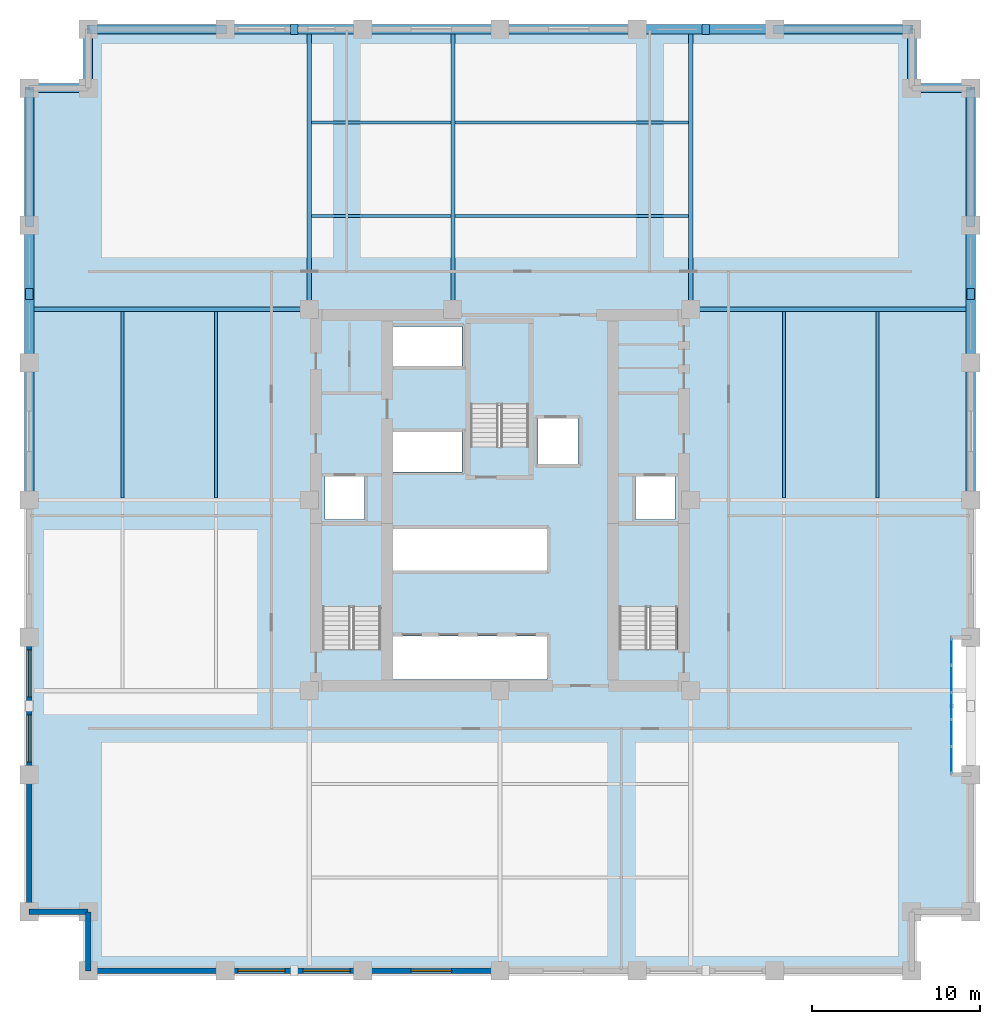
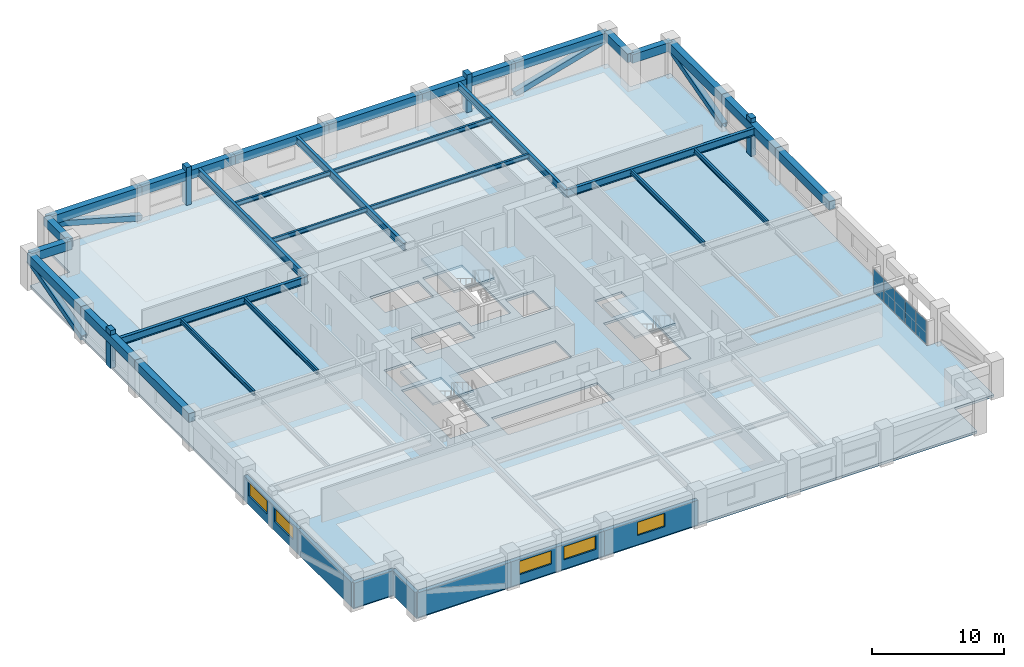
# One storey, part 3 of 12: 29 beams, 8 members, 7 walls, 5 plates, 5 windows, 4 slabs, 5 openings, 4 elements without a shape of their own.
"""IFC4 building model written with IfcOpenShell, lengths in metres."""

from ifc_helpers import new_model, si_unit, direction, frame, frame_2d, origin, origin_2d, place, context, subcontext, project, spatial, polyline, rectangle, hollow_rectangle, i_section, outline, extrude, material, layer, layer_set, material_profile, profile_set, type_object, element, fill, aggregate, save


model = new_model("IFC4")

# Units and contexts
model_context = context("Model", 3, precision=1e-05, world=origin(), true_north=direction((0.0, 1.0)))
body_context = subcontext(model_context, "Body", "Model", "MODEL_VIEW")
ifc_project = project(units=[si_unit("LENGTHUNIT", "METRE"), si_unit("AREAUNIT", "SQUARE_METRE"), si_unit("VOLUMEUNIT", "CUBIC_METRE"), si_unit("PLANEANGLEUNIT", "RADIAN"), si_unit("MASSUNIT", "GRAM", prefix="KILO")], contexts=[model_context])

# Site, building, storey
site_placement = place(None, origin())
site = spatial("IfcSite", under=ifc_project, at=site_placement, CompositionType="ELEMENT")
building_placement = place(site_placement, origin())
building = spatial("IfcBuilding", under=site, at=building_placement, Name="Nhamokura Convention Tower", CompositionType="ELEMENT")
storey_placement = place(building_placement, frame((0.0, 0.0, 96.25)))
storey = spatial("IfcBuildingStorey", under=building, at=storey_placement, Name="L23", CompositionType="ELEMENT", Elevation=96.25)

# Members
ifc_material_1 = material(Name="Bronze-pigmented precast concrete C45/55", Category="concrete")
ifc_material_profile_1 = material_profile(ifc_material_1, rectangle(XDim=0.449951171875, YDim=0.64990234375, at=origin_2d()))
ifc_profile_set_1 = profile_set([ifc_material_profile_1], Name="Bronze-pigmented precast concrete C45/55")
member_type_1 = type_object("IfcMemberType", Name="BronzePilaster_650", PredefinedType="USERDEFINED", material=ifc_profile_set_1)
for number, where, z_axis, x_axis, name in (
    (1, (19.75, 60.0, 0.0), (0.0, 0.0, 1.0), (1.0, 0.0, 0.0), "L23 Engaged Frame Pilaster NORTH 1"),
    (2, (44.25, 60.0, 0.0), (0.0, 0.0, 1.0), (1.0, 0.0, 0.0), "L23 Engaged Frame Pilaster NORTH 4"),
    (3, (4.0, 44.25, 0.0), (0.0, 0.0, 1.0), (1.0, 0.0, 0.0), "L23 Engaged Frame Pilaster WEST 4"),
    (4, (60.0, 44.25, 0.0), (0.0, 0.0, 1.0), (1.0, 0.0, 0.0), "L23 Engaged Frame Pilaster EAST 4"),
):
    element("IfcMember", number, at=place(storey_placement, frame(where, z_axis=z_axis, x_axis=x_axis)), inside=storey, type_object=member_type_1, Name=name, ObjectType="PILASTER_TRIM", PredefinedType="USERDEFINED", context=body_context, shape_type="SweptSolid", body=[
        extrude(rectangle(XDim=0.449951171875, YDim=0.64990234375, at=origin_2d()), origin(), (0.0, 0.0, 1.0), 3.5),
    ])

# Beams
ifc_material_2 = material(Name="Steel ASTM A992 Gr 50", Category="steel")
ifc_material_profile_2 = material_profile(ifc_material_2, i_section(OverallWidth=0.178955078125, OverallDepth=0.409912109375, WebThickness=0.0087890625, FlangeThickness=0.014404296875, at=origin_2d()))
ifc_profile_set_2 = profile_set([ifc_material_profile_2], Name="Steel ASTM A992 Gr 50")
beam_type_1 = type_object("IfcBeamType", Name="FloorJoist_W410X67", PredefinedType="JOIST", material=ifc_profile_set_2)
beam_1_placement = place(storey_placement, frame((20.77587890625, 48.89990234375, 2.875), z_axis=(1.0, 0.0, 0.0), x_axis=(0.0, 1.0, 0.0)))
element("IfcBeam", 5, at=beam_1_placement, inside=storey, type_object=beam_type_1, Name="L23 Composite Floor Joist N1A", PredefinedType="JOIST", context=body_context, shape_type="SweptSolid", body=[
    extrude(i_section(OverallWidth=0.178955078125, OverallDepth=0.409912109375, WebThickness=0.0087890625, FlangeThickness=0.014404296875, at=origin_2d()), origin(), (0.0, 0.0, 1.0), 8.298095703125),
])
beam_2_placement = place(storey_placement, frame((29.325927734375, 48.89990234375, 2.875), z_axis=(1.0, 0.0, 0.0), x_axis=(0.0, 1.0, 0.0)))
element("IfcBeam", 6, at=beam_2_placement, inside=storey, type_object=beam_type_1, Name="L23 Composite Floor Joist N1B", PredefinedType="JOIST", context=body_context, shape_type="SweptSolid", body=[
    extrude(i_section(OverallWidth=0.178955078125, OverallDepth=0.409912109375, WebThickness=0.0087890625, FlangeThickness=0.014404296875, at=origin_2d()), origin(), (0.0, 0.0, 1.0), 13.898193359375),
])
beam_3_placement = place(storey_placement, frame((20.77587890625, 54.449951171875, 2.875), z_axis=(1.0, 0.0, 0.0), x_axis=(0.0, 1.0, 0.0)))
element("IfcBeam", 7, at=beam_3_placement, inside=storey, type_object=beam_type_1, Name="L23 Composite Floor Joist N2A", PredefinedType="JOIST", context=body_context, shape_type="SweptSolid", body=[
    extrude(i_section(OverallWidth=0.178955078125, OverallDepth=0.409912109375, WebThickness=0.0087890625, FlangeThickness=0.014404296875, at=origin_2d()), origin(), (0.0, 0.0, 1.0), 8.298095703125),
])
beam_4_placement = place(storey_placement, frame((29.325927734375, 54.449951171875, 2.875), z_axis=(1.0, 0.0, 0.0), x_axis=(0.0, 1.0, 0.0)))
element("IfcBeam", 8, at=beam_4_placement, inside=storey, type_object=beam_type_1, Name="L23 Composite Floor Joist N2B", PredefinedType="JOIST", context=body_context, shape_type="SweptSolid", body=[
    extrude(i_section(OverallWidth=0.178955078125, OverallDepth=0.409912109375, WebThickness=0.0087890625, FlangeThickness=0.014404296875, at=origin_2d()), origin(), (0.0, 0.0, 1.0), 13.898193359375),
])
for number, where, z_axis, x_axis, name in (
    (9, (9.550048828125, 32.1259765625, 2.875), (0.0, 1.0, 0.0), (-1.0, 0.0, 0.0), "L23 Composite Floor Joist W1B"),
    (10, (15.10009765625, 32.1259765625, 2.875), (0.0, 1.0, 0.0), (-1.0, 0.0, 0.0), "L23 Composite Floor Joist W2B"),
    (11, (48.89990234375, 32.1259765625, 2.875), (0.0, 1.0, 0.0), (-1.0, 0.0, 0.0), "L23 Composite Floor Joist E1B"),
    (12, (54.449951171875, 32.1259765625, 2.875), (0.0, 1.0, 0.0), (-1.0, 0.0, 0.0), "L23 Composite Floor Joist E2B"),
):
    element("IfcBeam", number, at=place(storey_placement, frame(where, z_axis=z_axis, x_axis=x_axis)), inside=storey, type_object=beam_type_1, Name=name, PredefinedType="JOIST", context=body_context, shape_type="SweptSolid", body=[
        extrude(i_section(OverallWidth=0.178955078125, OverallDepth=0.409912109375, WebThickness=0.0087890625, FlangeThickness=0.014404296875, at=origin_2d()), origin(), (0.0, 0.0, 1.0), 11.09814453125),
    ])
ifc_material_3 = material(Name="Steel ASTM A992 Gr 50", Category="steel")
ifc_material_profile_3 = material_profile(ifc_material_3, i_section(OverallWidth=0.256103515625, OverallDepth=0.693115234375, WebThickness=0.014404296875, FlangeThickness=0.023681640625, at=origin_2d()))
ifc_profile_set_3 = profile_set([ifc_material_profile_3], Name="Steel ASTM A992 Gr 50")
beam_type_2 = type_object("IfcBeamType", Name="PrimaryGirder_W690X170", PredefinedType="BEAM", material=ifc_profile_set_3)
for number, where, z_axis, x_axis, name in (
    (13, (20.64990234375, 43.35009765625, 2.7333984375), (0.0, 1.0, 0.0), (-1.0, 0.0, 0.0), "L23 Primary Floor Girder PG-N1"),
    (14, (29.199951171875, 43.35009765625, 2.7333984375), (0.0, 1.0, 0.0), (-1.0, 0.0, 0.0), "L23 Primary Floor Girder PG-N2"),
    (15, (43.35009765625, 43.35009765625, 2.7333984375), (0.0, 1.0, 0.0), (-1.0, 0.0, 0.0), "L23 Primary Floor Girder PG-N3"),
    (16, (4.0, 43.35009765625, 2.7333984375), (1.0, 0.0, 0.0), (0.0, 1.0, 0.0), "L23 Primary Floor Girder PG-W3"),
    (17, (43.35009765625, 43.35009765625, 2.7333984375), (1.0, 0.0, 0.0), (0.0, 1.0, 0.0), "L23 Primary Floor Girder PG-E3"),
):
    element("IfcBeam", number, at=place(storey_placement, frame(where, z_axis=z_axis, x_axis=x_axis)), inside=storey, type_object=beam_type_2, Name=name, PredefinedType="BEAM", context=body_context, shape_type="SweptSolid", body=[
        extrude(i_section(OverallWidth=0.256103515625, OverallDepth=0.693115234375, WebThickness=0.014404296875, FlangeThickness=0.023681640625, at=origin_2d()), origin(), (0.0, 0.0, 1.0), 16.64990234375),
    ])

# Members
ifc_material_4 = material(Name="Steel ASTM A572 Gr 50", Category="steel")
ifc_material_profile_4 = material_profile(ifc_material_4, hollow_rectangle(XDim=0.5, YDim=0.5, WallThickness=0.02490234375, at=origin_2d()))
ifc_profile_set_4 = profile_set([ifc_material_profile_4], Name="Steel ASTM A572 Gr 50")
member_type_2 = type_object("IfcMemberType", Name="TubeBrace_HSS500", PredefinedType="BRACE", material=ifc_profile_set_4)
for number, where, z_axis, x_axis, name in (
    (18, (15.666748046875, 60.0, 0.14990234375), (-0.963167690303, 0.0, 0.268901469605), (0.0, -1.0, 0.0), "L23 Perimeter Tube Brace NORTH Bay 0"),
    (19, (48.333251953125, 60.0, 0.14990234375), (0.963167690303, 0.0, 0.268901469605), (0.0, 1.0, 0.0), "L23 Perimeter Tube Brace NORTH Bay 5"),
    (20, (4.0, 48.333251953125, 0.14990234375), (0.0, 0.963167690303, 0.268901469605), (-1.0, 0.0, 0.0), "L23 Perimeter Tube Brace WEST Bay 5"),
    (21, (60.0, 48.333251953125, 0.14990234375), (0.0, 0.963167690303, 0.268901469605), (-1.0, 0.0, 0.0), "L23 Perimeter Tube Brace EAST Bay 5"),
):
    element("IfcMember", number, at=place(storey_placement, frame(where, z_axis=z_axis, x_axis=x_axis)), inside=storey, type_object=member_type_2, Name=name, PredefinedType="BRACE", context=body_context, shape_type="SweptSolid", body=[
        extrude(hollow_rectangle(XDim=0.5, YDim=0.5, WallThickness=0.02490234375, at=origin_2d()), origin(), (0.0, 0.0, 1.0), 8.47900390625),
    ])

# Beams
ifc_material_5 = material(Name="Concrete C50/60", Category="concrete")
ifc_material_profile_5 = material_profile(ifc_material_5, rectangle(XDim=0.550048828125, YDim=0.800048828125, at=origin_2d()))
ifc_profile_set_5 = profile_set([ifc_material_profile_5], Name="Concrete C50/60")
beam_type_3 = type_object("IfcBeamType", Name="TubeSpandrel_800", PredefinedType="SPANDREL", material=ifc_profile_set_5)
beam_5_placement = place(storey_placement, frame((7.5, 60.0, 2.679931640625), z_axis=(1.0, 0.0, 0.0), x_axis=(0.0, 1.0, 0.0)))
element("IfcBeam", 22, at=beam_5_placement, inside=storey, type_object=beam_type_3, Name="L23 Perimeter Spandrel NORTH 1", PredefinedType="SPANDREL", context=body_context, shape_type="SweptSolid", body=[
    extrude(rectangle(XDim=0.550048828125, YDim=0.800048828125, at=origin_2d()), origin(), (0.0, 0.0, 1.0), 8.166748046875),
])
beam_6_placement = place(storey_placement, frame((15.666748046875, 60.0, 2.679931640625), z_axis=(1.0, 0.0, 0.0), x_axis=(0.0, 1.0, 0.0)))
element("IfcBeam", 23, at=beam_6_placement, inside=storey, type_object=beam_type_3, Name="L23 Perimeter Spandrel NORTH 2", PredefinedType="SPANDREL", context=body_context, shape_type="SweptSolid", body=[
    extrude(rectangle(XDim=0.550048828125, YDim=0.800048828125, at=origin_2d()), origin(), (0.0, 0.0, 1.0), 8.16650390625),
])
for number, where, z_axis, x_axis, name in (
    (24, (23.833251953125, 60.0, 2.679931640625), (1.0, 0.0, 0.0), (0.0, 1.0, 0.0), "L23 Perimeter Spandrel NORTH 3"),
    (25, (32.0, 60.0, 2.679931640625), (1.0, 0.0, 0.0), (0.0, 1.0, 0.0), "L23 Perimeter Spandrel NORTH 4"),
):
    element("IfcBeam", number, at=place(storey_placement, frame(where, z_axis=z_axis, x_axis=x_axis)), inside=storey, type_object=beam_type_3, Name=name, PredefinedType="SPANDREL", context=body_context, shape_type="SweptSolid", body=[
        extrude(rectangle(XDim=0.550048828125, YDim=0.800048828125, at=origin_2d()), origin(), (0.0, 0.0, 1.0), 8.166748046875),
    ])
beam_7_placement = place(storey_placement, frame((40.166748046875, 60.0, 2.679931640625), z_axis=(1.0, 0.0, 0.0), x_axis=(0.0, 1.0, 0.0)))
element("IfcBeam", 26, at=beam_7_placement, inside=storey, type_object=beam_type_3, Name="L23 Perimeter Spandrel NORTH 5", PredefinedType="SPANDREL", context=body_context, shape_type="SweptSolid", body=[
    extrude(rectangle(XDim=0.550048828125, YDim=0.800048828125, at=origin_2d()), origin(), (0.0, 0.0, 1.0), 8.16650390625),
])
for number, where, z_axis, x_axis, name in (
    (27, (48.333251953125, 60.0, 2.679931640625), (1.0, 0.0, 0.0), (0.0, 1.0, 0.0), "L23 Perimeter Spandrel NORTH 6"),
    (28, (4.0, 32.0, 2.679931640625), (0.0, 1.0, 0.0), (-1.0, 0.0, 0.0), "L23 Perimeter Spandrel WEST 4"),
):
    element("IfcBeam", number, at=place(storey_placement, frame(where, z_axis=z_axis, x_axis=x_axis)), inside=storey, type_object=beam_type_3, Name=name, PredefinedType="SPANDREL", context=body_context, shape_type="SweptSolid", body=[
        extrude(rectangle(XDim=0.550048828125, YDim=0.800048828125, at=origin_2d()), origin(), (0.0, 0.0, 1.0), 8.166748046875),
    ])
beam_8_placement = place(storey_placement, frame((4.0, 40.166748046875, 2.679931640625), z_axis=(0.0, 1.0, 0.0), x_axis=(-1.0, 0.0, 0.0)))
element("IfcBeam", 29, at=beam_8_placement, inside=storey, type_object=beam_type_3, Name="L23 Perimeter Spandrel WEST 5", PredefinedType="SPANDREL", context=body_context, shape_type="SweptSolid", body=[
    extrude(rectangle(XDim=0.550048828125, YDim=0.800048828125, at=origin_2d()), origin(), (0.0, 0.0, 1.0), 8.16650390625),
])
for number, where, z_axis, x_axis, name in (
    (30, (4.0, 48.333251953125, 2.679931640625), (0.0, 1.0, 0.0), (-1.0, 0.0, 0.0), "L23 Perimeter Spandrel WEST 6"),
    (31, (60.0, 32.0, 2.679931640625), (0.0, 1.0, 0.0), (-1.0, 0.0, 0.0), "L23 Perimeter Spandrel EAST 4"),
):
    element("IfcBeam", number, at=place(storey_placement, frame(where, z_axis=z_axis, x_axis=x_axis)), inside=storey, type_object=beam_type_3, Name=name, PredefinedType="SPANDREL", context=body_context, shape_type="SweptSolid", body=[
        extrude(rectangle(XDim=0.550048828125, YDim=0.800048828125, at=origin_2d()), origin(), (0.0, 0.0, 1.0), 8.166748046875),
    ])
beam_9_placement = place(storey_placement, frame((60.0, 40.166748046875, 2.679931640625), z_axis=(0.0, 1.0, 0.0), x_axis=(-1.0, 0.0, 0.0)))
element("IfcBeam", 32, at=beam_9_placement, inside=storey, type_object=beam_type_3, Name="L23 Perimeter Spandrel EAST 5", PredefinedType="SPANDREL", context=body_context, shape_type="SweptSolid", body=[
    extrude(rectangle(XDim=0.550048828125, YDim=0.800048828125, at=origin_2d()), origin(), (0.0, 0.0, 1.0), 8.16650390625),
])
beam_10_placement = place(storey_placement, frame((60.0, 48.333251953125, 2.679931640625), z_axis=(0.0, 1.0, 0.0), x_axis=(-1.0, 0.0, 0.0)))
element("IfcBeam", 33, at=beam_10_placement, inside=storey, type_object=beam_type_3, Name="L23 Perimeter Spandrel EAST 6", PredefinedType="SPANDREL", context=body_context, shape_type="SweptSolid", body=[
    extrude(rectangle(XDim=0.550048828125, YDim=0.800048828125, at=origin_2d()), origin(), (0.0, 0.0, 1.0), 8.166748046875),
])
for number, where, z_axis, x_axis, name in (
    (34, (60.0, 56.5, 2.679931640625), (-1.0, 0.0, 0.0), (0.0, -1.0, 0.0), "L23 Notch Spandrel NE1"),
    (35, (56.5, 56.5, 2.679931640625), (0.0, 1.0, 0.0), (-1.0, 0.0, 0.0), "L23 Notch Spandrel NE2"),
    (36, (7.5, 60.0, 2.679931640625), (0.0, -1.0, 0.0), (1.0, 0.0, 0.0), "L23 Notch Spandrel NW1"),
    (37, (7.5, 56.5, 2.679931640625), (-1.0, 0.0, 0.0), (0.0, -1.0, 0.0), "L23 Notch Spandrel NW2"),
):
    element("IfcBeam", number, at=place(storey_placement, frame(where, z_axis=z_axis, x_axis=x_axis)), inside=storey, type_object=beam_type_3, Name=name, PredefinedType="SPANDREL", context=body_context, shape_type="SweptSolid", body=[
        extrude(rectangle(XDim=0.550048828125, YDim=0.800048828125, at=origin_2d()), origin(), (0.0, 0.0, 1.0), 3.5),
    ])

# Curtain wall, plates
ifc_material_6 = material(Name="Anodised bronze aluminium AA6063-T6", Category="aluminium")
ifc_layer_1 = layer(ifc_material_6, 0.1650390625)
ifc_layer_set_1 = layer_set([ifc_layer_1], Name="CWSystem_ScaleSlot_Zone1")
curtain_wall_type = type_object("IfcCurtainWallType", Name="CWSystem_ScaleSlot_Zone1", PredefinedType="NOTDEFINED", material=ifc_layer_set_1)
curtain_wall_placement = place(storey_placement, origin())
curtain_wall = element("IfcCurtainWall", 38, at=curtain_wall_placement, inside=storey, type_object=curtain_wall_type, Name="L23 Curtain Wall ENV-L23-SLOT-E1", PredefinedType="NOTDEFINED")
ifc_material_7 = material(Name="Solar-control bronze low-E double glass", Category="glass")
ifc_layer_2 = layer(ifc_material_7, 0.031982421875)
ifc_layer_set_2 = layer_set([ifc_layer_2], Name="CWGlazedPanel_1")
plate_type = type_object("IfcPlateType", Name="CWGlazedPanel_1", PredefinedType="CURTAIN_PANEL", material=ifc_layer_set_2)
plate_1_placement = place(storey_placement, frame((58.85009765625, 22.952392578125, 0.06494140625), z_axis=(0.0, 0.0, 1.0), x_axis=(0.0, -1.0, 0.0)))
plate_1 = element("IfcPlate", 39, at=plate_1_placement, type_object=plate_type, Name="CW-03 panel 1.1", PredefinedType="CURTAIN_PANEL", context=body_context, shape_type="SweptSolid", body=[
    extrude(rectangle(XDim=1.51171875, YDim=0.031982421875, at=origin_2d()), origin(), (0.0, 0.0, 1.0), 2.14990234375),
])
plate_2_placement = place(storey_placement, frame((58.85009765625, 21.359375, 0.06494140625), z_axis=(0.0, 0.0, 1.0), x_axis=(0.0, -1.0, 0.0)))
plate_2 = element("IfcPlate", 40, at=plate_2_placement, type_object=plate_type, Name="CW-03 panel 2.1", PredefinedType="CURTAIN_PANEL", context=body_context, shape_type="SweptSolid", body=[
    extrude(rectangle(XDim=1.54443359375, YDim=0.031982421875, at=origin_2d()), origin(), (0.0, 0.0, 1.0), 2.14990234375),
])
plate_3_placement = place(storey_placement, frame((58.85009765625, 19.75, 0.06494140625), z_axis=(0.0, 0.0, 1.0), x_axis=(0.0, -1.0, 0.0)))
plate_3 = element("IfcPlate", 41, at=plate_3_placement, type_object=plate_type, Name="CW-03 panel 3.1", PredefinedType="CURTAIN_PANEL", context=body_context, shape_type="SweptSolid", body=[
    extrude(rectangle(XDim=1.54443359375, YDim=0.031982421875, at=origin_2d()), origin(), (0.0, 0.0, 1.0), 2.14990234375),
])
plate_4_placement = place(storey_placement, frame((58.85009765625, 18.140625, 0.06494140625), z_axis=(0.0, 0.0, 1.0), x_axis=(0.0, -1.0, 0.0)))
plate_4 = element("IfcPlate", 42, at=plate_4_placement, type_object=plate_type, Name="CW-03 panel 4.1", PredefinedType="CURTAIN_PANEL", context=body_context, shape_type="SweptSolid", body=[
    extrude(rectangle(XDim=1.54443359375, YDim=0.031982421875, at=origin_2d()), origin(), (0.0, 0.0, 1.0), 2.14990234375),
])
plate_5_placement = place(storey_placement, frame((58.85009765625, 16.547607421875, 0.06494140625), z_axis=(0.0, 0.0, 1.0), x_axis=(0.0, -1.0, 0.0)))
plate_5 = element("IfcPlate", 43, at=plate_5_placement, type_object=plate_type, Name="CW-03 panel 5.1", PredefinedType="CURTAIN_PANEL", context=body_context, shape_type="SweptSolid", body=[
    extrude(rectangle(XDim=1.51171875, YDim=0.031982421875, at=origin_2d()), origin(), (0.0, 0.0, 1.0), 2.14990234375),
])
aggregate(curtain_wall, [plate_1, plate_2, plate_3, plate_4, plate_5])

# Slab
ifc_material_8 = material(Name="Concrete C40/50", Category="concrete")
ifc_layer_3 = layer(ifc_material_8, 0.219970703125)
ifc_layer_set_3 = layer_set([ifc_layer_3], Name="SkyLobbySlab_220")
slab_type_1 = type_object("IfcSlabType", Name="SkyLobbySlab_220", PredefinedType="FLOOR", material=ifc_layer_set_3)
slab_1_placement = place(storey_placement, frame((0.0, 0.0, -0.219970703125)))
element("IfcSlab", 44, at=slab_1_placement, inside=storey, type_object=slab_type_1, Name="L23 Structural Floor Slab", PredefinedType="FLOOR", context=body_context, shape_type="SweptSolid", body=[
    extrude(outline(polyline([(7.5, 4.0), (56.5, 4.0), (56.5, 7.5), (60.0, 7.5), (60.0, 15.666748046875), (58.85009765625, 15.666748046875), (58.85009765625, 23.833251953125), (60.0, 23.833251953125), (60.0, 56.5), (56.5, 56.5), (56.5, 60.0), (7.5, 60.0), (7.5, 56.5), (4.0, 56.5), (4.0, 7.5), (7.5, 7.5), (7.5, 4.0)]), holes=[polyline([(24.89990234375, 23.10009765625), (24.89990234375, 30.449951171875), (21.449951171875, 30.449951171875), (21.449951171875, 23.10009765625), (24.89990234375, 23.10009765625)]), polyline([(42.550048828125, 23.10009765625), (42.550048828125, 30.449951171875), (39.10009765625, 30.449951171875), (39.10009765625, 23.10009765625), (42.550048828125, 23.10009765625)]), polyline([(33.699951171875, 35.14990234375), (33.699951171875, 42.5), (30.25, 42.5), (30.25, 35.14990234375), (33.699951171875, 35.14990234375)]), polyline([(21.60009765625, 30.85009765625), (23.949951171875, 30.85009765625), (23.949951171875, 33.39990234375), (21.60009765625, 33.39990234375), (21.60009765625, 30.85009765625)]), polyline([(40.050048828125, 30.85009765625), (42.39990234375, 30.85009765625), (42.39990234375, 33.39990234375), (40.050048828125, 33.39990234375), (40.050048828125, 30.85009765625)]), polyline([(34.25, 34.14990234375), (36.64990234375, 34.14990234375), (36.64990234375, 36.85009765625), (34.25, 36.85009765625), (34.25, 34.14990234375)]), polyline([(25.52001953125, 21.320068359375), (34.800048828125, 21.320068359375), (34.800048828125, 23.89990234375), (25.52001953125, 23.89990234375), (25.52001953125, 21.320068359375)]), polyline([(25.52001953125, 27.800048828125), (34.800048828125, 27.800048828125), (34.800048828125, 30.300048828125), (25.52001953125, 30.300048828125), (25.52001953125, 27.800048828125)]), polyline([(25.52001953125, 33.679931640625), (29.75, 33.679931640625), (29.75, 36.050048828125), (25.52001953125, 36.050048828125), (25.52001953125, 33.679931640625)]), polyline([(25.52001953125, 39.949951171875), (29.75, 39.949951171875), (29.75, 42.320068359375), (25.52001953125, 42.320068359375), (25.52001953125, 39.949951171875)])]), origin(), (0.0, 0.0, 1.0), 0.219970703125),
])

# Stair, slab
ifc_material_9 = material(Name="Concrete C40/50", Category="concrete")
stair_type = type_object("IfcStairType", Name="TowerCoreStair_1650", PredefinedType="HALF_TURN_STAIR", material=ifc_material_9)
stair_1_placement = place(storey_placement, origin())
stair_1 = element("IfcStair", 45, at=stair_1_placement, inside=storey, type_object=stair_type, Name="L23 West Core Smokeproof Stair ST-01", PredefinedType="HALF_TURN_STAIR")
ifc_material_10 = material(Name="Concrete C40/50", Category="concrete")
ifc_layer_4 = layer(ifc_material_10, 0.199951171875)
ifc_layer_set_4 = layer_set([ifc_layer_4], Name="StairLandingSlab_200")
slab_type_2 = type_object("IfcSlabType", Name="StairLandingSlab_200", PredefinedType="LANDING", material=ifc_layer_set_4)
slab_2_placement = place(storey_placement, frame((0.0, 0.0, 1.550048828125)))
slab_2 = element("IfcSlab", 46, at=slab_2_placement, type_object=slab_type_2, Name="ST-01 landing 1", PredefinedType="LANDING", context=body_context, shape_type="SweptSolid", body=[
    extrude(outline(polyline([(24.97998046875, 25.5849609375), (24.97998046875, 30.530029296875), (21.3701171875, 30.530029296875), (21.3701171875, 25.5849609375), (24.97998046875, 25.5849609375)])), origin(), (0.0, 0.0, 1.0), 0.199951171875),
])
aggregate(stair_1, [slab_2])

stair_2_placement = place(storey_placement, origin())
stair_2 = element("IfcStair", 47, at=stair_2_placement, inside=storey, type_object=stair_type, Name="L23 East Core Smokeproof Stair ST-02", PredefinedType="HALF_TURN_STAIR")
slab_3_placement = place(storey_placement, frame((0.0, 0.0, 1.550048828125)))
slab_3 = element("IfcSlab", 48, at=slab_3_placement, type_object=slab_type_2, Name="ST-02 landing 1", PredefinedType="LANDING", context=body_context, shape_type="SweptSolid", body=[
    extrude(outline(polyline([(42.6298828125, 25.5849609375), (42.6298828125, 30.530029296875), (39.02001953125, 30.530029296875), (39.02001953125, 25.5849609375), (42.6298828125, 25.5849609375)])), origin(), (0.0, 0.0, 1.0), 0.199951171875),
])
aggregate(stair_2, [slab_3])

stair_3_placement = place(storey_placement, origin())
stair_3 = element("IfcStair", 49, at=stair_3_placement, inside=storey, type_object=stair_type, Name="L23 North Core Smokeproof Stair ST-03", PredefinedType="HALF_TURN_STAIR")
slab_4_placement = place(storey_placement, frame((0.0, 0.0, 1.550048828125)))
slab_4 = element("IfcSlab", 50, at=slab_4_placement, type_object=slab_type_2, Name="ST-03 landing 1", PredefinedType="LANDING", context=body_context, shape_type="SweptSolid", body=[
    extrude(outline(polyline([(33.780029296875, 37.635009765625), (33.780029296875, 42.580078125), (30.169921875, 42.580078125), (30.169921875, 37.635009765625), (33.780029296875, 37.635009765625)])), origin(), (0.0, 0.0, 1.0), 0.199951171875),
])
aggregate(stair_3, [slab_4])

# Wall
ifc_material_11 = material(Name="Bronze-pigmented precast concrete C45/55", Category="concrete")
ifc_layer_5 = layer(ifc_material_11, 0.320068359375)
ifc_layer_set_5 = layer_set([ifc_layer_5], Name="BronzePrecastSpandrel_320")
wall_type = type_object("IfcWallType", Name="BronzePrecastSpandrel_320", PredefinedType="USERDEFINED", material=ifc_layer_set_5)
wall_1_placement = place(storey_placement, frame((15.666748046875, 4.0, 0.0), z_axis=(0.0, 0.0, 1.0), x_axis=(-1.0, 0.0, 0.0)))
element("IfcWall", 51, at=wall_1_placement, inside=storey, type_object=wall_type, Name="L23 Braced-Bay Precast Wall SOUTH 0", ObjectType="SPANDREL_WALL", PredefinedType="USERDEFINED", context=body_context, shape_type="SweptSolid", body=[
    extrude(rectangle(XDim=8.166748046875, YDim=0.320068359375, at=frame_2d((4.08349609375, 0.0))), origin(), (0.0, 0.0, 1.0), 2.280029296875),
])

# Wall, openings, windows
wall_2_placement = place(storey_placement, frame((23.833251953125, 4.0, 0.0), z_axis=(0.0, 0.0, 1.0), x_axis=(-1.0, 0.0, 0.0)))
wall_2 = element("IfcWall", 52, at=wall_2_placement, inside=storey, type_object=wall_type, Name="L23 Masonry-Frame Wall SOUTH 1", ObjectType="SPANDREL_WALL", PredefinedType="USERDEFINED", context=body_context, shape_type="SweptSolid", body=[
    extrude(rectangle(XDim=8.16650390625, YDim=0.320068359375, at=frame_2d((4.083251953125, 0.0))), origin(), (0.0, 0.0, 1.0), 2.280029296875),
])
opening_1_placement = place(wall_2_placement, frame((0.74169921875, 0.0, 0.85009765625)))
opening_1 = element("IfcOpeningElement", 53, at=opening_1_placement, cuts=wall_2, Name="Opening W-04", PredefinedType="OPENING", context=body_context, shape_type="SweptSolid", body=[
    extrude(rectangle(XDim=2.800048828125, YDim=1.22998046875, at=frame_2d((1.39990234375, 0.614990234375))), frame((0.0, 0.169921875, 0.0), z_axis=(0.0, -1.0, 0.0), x_axis=(1.0, 0.0, 0.0)), (0.0, 0.0, 1.0), 0.340087890625),
])
opening_2_placement = place(wall_2_placement, frame((4.625, 0.0, 0.85009765625)))
opening_2 = element("IfcOpeningElement", 54, at=opening_2_placement, cuts=wall_2, Name="Opening W-04", PredefinedType="OPENING", context=body_context, shape_type="SweptSolid", body=[
    extrude(rectangle(XDim=2.800048828125, YDim=1.22998046875, at=frame_2d((1.39990234375, 0.614990234375))), frame((0.0, 0.169921875, 0.0), z_axis=(0.0, -1.0, 0.0), x_axis=(1.0, 0.0, 0.0)), (0.0, 0.0, 1.0), 0.340087890625),
])
ifc_material_12 = material(Name="Solar-control bronze low-E double glass", Category="glass")
window_type_1 = type_object("IfcWindowType", Name="HotelSuiteWindow_2800", PartitioningType="DOUBLE_PANEL_VERTICAL", PredefinedType="WINDOW", material=ifc_material_12)
window_1_placement = place(opening_1_placement, origin())
window_1 = element("IfcWindow", 55, at=window_1_placement, inside=storey, type_object=window_type_1, Name="L23 Facade Window SOUTH 1-1", OverallHeight=1.22998046875, OverallWidth=2.800048828125, PartitioningType="SINGLE_PANEL", PredefinedType="WINDOW", context=body_context, shape_type="SweptSolid", body=[
    extrude(rectangle(XDim=2.800048828125, YDim=1.22998046875, at=frame_2d((1.39990234375, 0.614990234375))), frame((0.0, 0.030029296875, 0.0), z_axis=(0.0, -1.0, 0.0), x_axis=(1.0, 0.0, 0.0)), (0.0, 0.0, 1.0), 0.06005859375),
])
fill(opening_1, window_1)
window_2_placement = place(opening_2_placement, origin())
window_2 = element("IfcWindow", 56, at=window_2_placement, inside=storey, type_object=window_type_1, Name="L23 Facade Window SOUTH 1-2", OverallHeight=1.22998046875, OverallWidth=2.800048828125, PartitioningType="SINGLE_PANEL", PredefinedType="WINDOW", context=body_context, shape_type="SweptSolid", body=[
    extrude(rectangle(XDim=2.800048828125, YDim=1.22998046875, at=frame_2d((1.39990234375, 0.614990234375))), frame((0.0, 0.030029296875, 0.0), z_axis=(0.0, -1.0, 0.0), x_axis=(1.0, 0.0, 0.0)), (0.0, 0.0, 1.0), 0.06005859375),
])
fill(opening_2, window_2)

# Wall, opening, window
wall_3_placement = place(storey_placement, frame((32.0, 4.0, 0.0), z_axis=(0.0, 0.0, 1.0), x_axis=(-1.0, 0.0, 0.0)))
wall_3 = element("IfcWall", 57, at=wall_3_placement, inside=storey, type_object=wall_type, Name="L23 Masonry-Frame Wall SOUTH 2", ObjectType="SPANDREL_WALL", PredefinedType="USERDEFINED", context=body_context, shape_type="SweptSolid", body=[
    extrude(rectangle(XDim=8.166748046875, YDim=0.320068359375, at=frame_2d((4.08349609375, 0.0))), origin(), (0.0, 0.0, 1.0), 2.280029296875),
])
opening_3_placement = place(wall_3_placement, frame((2.88330078125, 0.0, 0.85009765625)))
opening_3 = element("IfcOpeningElement", 58, at=opening_3_placement, cuts=wall_3, Name="Opening W-03", PredefinedType="OPENING", context=body_context, shape_type="SweptSolid", body=[
    extrude(rectangle(XDim=2.39990234375, YDim=1.22998046875, at=frame_2d((1.199951171875, 0.614990234375))), frame((0.0, 0.169921875, 0.0), z_axis=(0.0, -1.0, 0.0), x_axis=(1.0, 0.0, 0.0)), (0.0, 0.0, 1.0), 0.340087890625),
])
ifc_material_13 = material(Name="Solar-control bronze low-E double glass", Category="glass")
window_type_2 = type_object("IfcWindowType", Name="HotelBayWindow_2400", PartitioningType="DOUBLE_PANEL_VERTICAL", PredefinedType="WINDOW", material=ifc_material_13)
window_3_placement = place(opening_3_placement, origin())
window_3 = element("IfcWindow", 59, at=window_3_placement, inside=storey, type_object=window_type_2, Name="L23 Facade Window SOUTH 2", OverallHeight=1.22998046875, OverallWidth=2.39990234375, PartitioningType="SINGLE_PANEL", PredefinedType="WINDOW", context=body_context, shape_type="SweptSolid", body=[
    extrude(rectangle(XDim=2.39990234375, YDim=1.22998046875, at=frame_2d((1.199951171875, 0.614990234375))), frame((0.0, 0.030029296875, 0.0), z_axis=(0.0, -1.0, 0.0), x_axis=(1.0, 0.0, 0.0)), (0.0, 0.0, 1.0), 0.06005859375),
])
fill(opening_3, window_3)

# Wall
wall_4_placement = place(storey_placement, frame((4.0, 7.5, 0.0), z_axis=(0.0, 0.0, 1.0), x_axis=(0.0, 1.0, 0.0)))
element("IfcWall", 60, at=wall_4_placement, inside=storey, type_object=wall_type, Name="L23 Braced-Bay Precast Wall WEST 0", ObjectType="SPANDREL_WALL", PredefinedType="USERDEFINED", context=body_context, shape_type="SweptSolid", body=[
    extrude(rectangle(XDim=8.166748046875, YDim=0.320068359375, at=frame_2d((4.08349609375, 0.0))), origin(), (0.0, 0.0, 1.0), 2.280029296875),
])

# Wall, openings, windows
wall_5_placement = place(storey_placement, frame((4.0, 15.666748046875, 0.0), z_axis=(0.0, 0.0, 1.0), x_axis=(0.0, 1.0, 0.0)))
wall_5 = element("IfcWall", 61, at=wall_5_placement, inside=storey, type_object=wall_type, Name="L23 Masonry-Frame Wall WEST 1", ObjectType="SPANDREL_WALL", PredefinedType="USERDEFINED", context=body_context, shape_type="SweptSolid", body=[
    extrude(rectangle(XDim=8.16650390625, YDim=0.320068359375, at=frame_2d((4.083251953125, 0.0))), origin(), (0.0, 0.0, 1.0), 2.280029296875),
])
opening_4_placement = place(wall_5_placement, frame((0.74169921875, 0.0, 0.85009765625)))
opening_4 = element("IfcOpeningElement", 62, at=opening_4_placement, cuts=wall_5, Name="Opening W-04", PredefinedType="OPENING", context=body_context, shape_type="SweptSolid", body=[
    extrude(rectangle(XDim=2.800048828125, YDim=1.22998046875, at=frame_2d((1.39990234375, 0.614990234375))), frame((0.0, 0.169921875, 0.0), z_axis=(0.0, -1.0, 0.0), x_axis=(1.0, 0.0, 0.0)), (0.0, 0.0, 1.0), 0.340087890625),
])
opening_5_placement = place(wall_5_placement, frame((4.625, 0.0, 0.85009765625)))
opening_5 = element("IfcOpeningElement", 63, at=opening_5_placement, cuts=wall_5, Name="Opening W-04", PredefinedType="OPENING", context=body_context, shape_type="SweptSolid", body=[
    extrude(rectangle(XDim=2.800048828125, YDim=1.22998046875, at=frame_2d((1.39990234375, 0.614990234375))), frame((0.0, 0.169921875, 0.0), z_axis=(0.0, -1.0, 0.0), x_axis=(1.0, 0.0, 0.0)), (0.0, 0.0, 1.0), 0.340087890625),
])
window_4_placement = place(opening_4_placement, origin())
window_4 = element("IfcWindow", 64, at=window_4_placement, inside=storey, type_object=window_type_1, Name="L23 Facade Window WEST 1-1", OverallHeight=1.22998046875, OverallWidth=2.800048828125, PartitioningType="SINGLE_PANEL", PredefinedType="WINDOW", context=body_context, shape_type="SweptSolid", body=[
    extrude(rectangle(XDim=2.800048828125, YDim=1.22998046875, at=frame_2d((1.39990234375, 0.614990234375))), frame((0.0, 0.030029296875, 0.0), z_axis=(0.0, -1.0, 0.0), x_axis=(1.0, 0.0, 0.0)), (0.0, 0.0, 1.0), 0.06005859375),
])
fill(opening_4, window_4)
window_5_placement = place(opening_5_placement, origin())
window_5 = element("IfcWindow", 65, at=window_5_placement, inside=storey, type_object=window_type_1, Name="L23 Facade Window WEST 1-2", OverallHeight=1.22998046875, OverallWidth=2.800048828125, PartitioningType="SINGLE_PANEL", PredefinedType="WINDOW", context=body_context, shape_type="SweptSolid", body=[
    extrude(rectangle(XDim=2.800048828125, YDim=1.22998046875, at=frame_2d((1.39990234375, 0.614990234375))), frame((0.0, 0.030029296875, 0.0), z_axis=(0.0, -1.0, 0.0), x_axis=(1.0, 0.0, 0.0)), (0.0, 0.0, 1.0), 0.06005859375),
])
fill(opening_5, window_5)

# Walls
for number, where, z_axis, x_axis, name in (
    (66, (7.5, 4.0, 0.0), (0.0, 0.0, 1.0), (0.0, 1.0, 0.0), "L23 Notched Corner Wall SW1"),
    (67, (7.5, 7.5, 0.0), (0.0, 0.0, 1.0), (-1.0, 0.0, 0.0), "L23 Notched Corner Wall SW2"),
):
    element("IfcWall", number, at=place(storey_placement, frame(where, z_axis=z_axis, x_axis=x_axis)), inside=storey, type_object=wall_type, Name=name, ObjectType="SPANDREL_WALL", PredefinedType="USERDEFINED", context=body_context, shape_type="SweptSolid", body=[
        extrude(rectangle(XDim=3.5, YDim=0.320068359375, at=frame_2d((1.75, 0.0))), origin(), (0.0, 0.0, 1.0), 2.280029296875),
    ])

save(model, "model.ifc")
